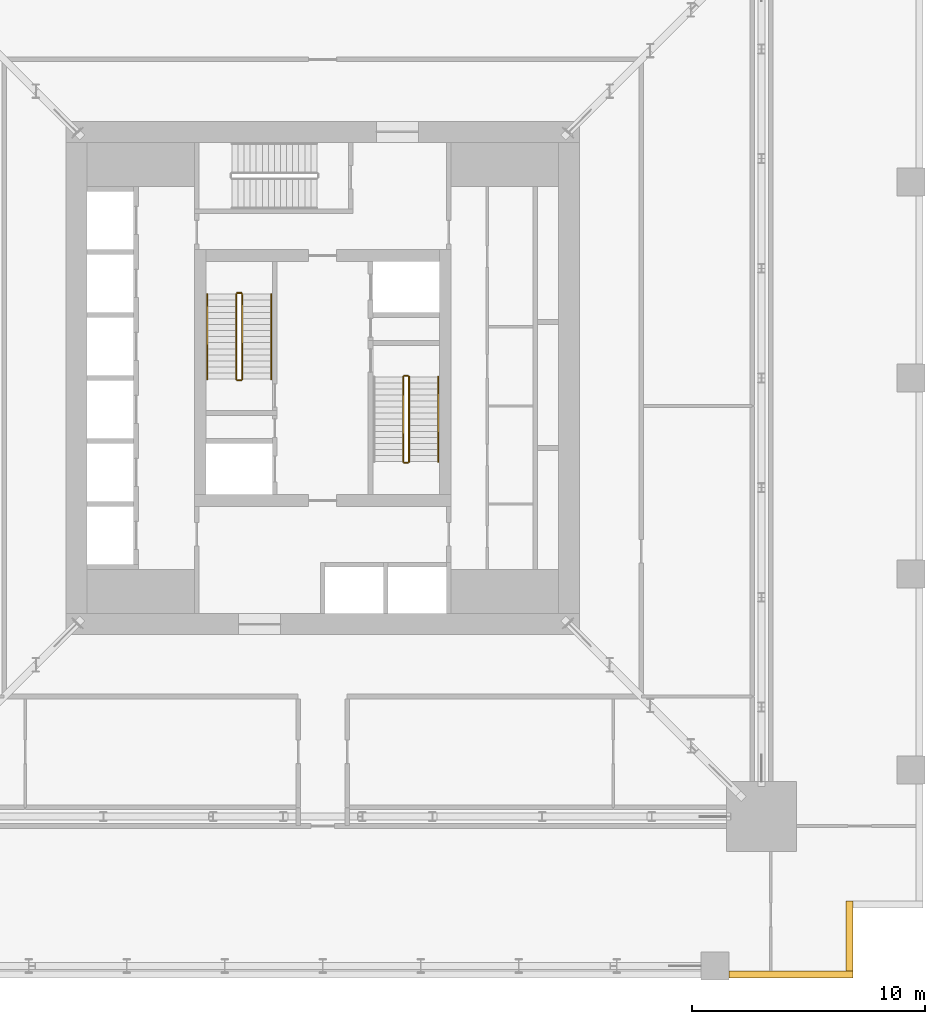
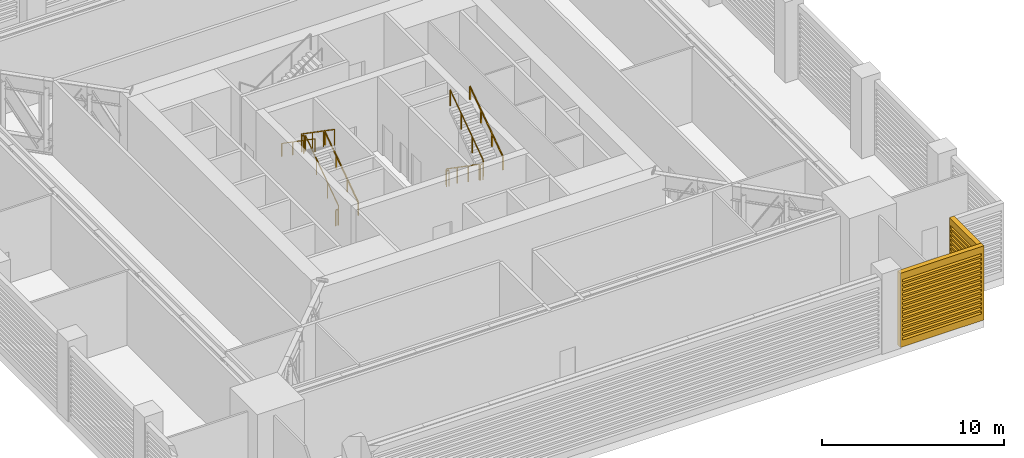
# One storey, part 14 of 17: 11 railings, 2 shading devices.
"""IFC4 building model written with IfcOpenShell, lengths in metres."""

from ifc_helpers import new_model, si_unit, direction, frame, origin, origin_2d, place, context, subcontext, project, spatial, polyline, rectangle, outline, extrude, material, type_object, element, save


model = new_model("IFC4")

# Units and contexts
model_context = context("Model", 3, precision=1e-05, world=origin(), true_north=direction((0.0, 1.0)))
body_context = subcontext(model_context, "Body", "Model", "MODEL_VIEW")
ifc_project = project(units=[si_unit("LENGTHUNIT", "METRE"), si_unit("AREAUNIT", "SQUARE_METRE"), si_unit("VOLUMEUNIT", "CUBIC_METRE"), si_unit("PLANEANGLEUNIT", "RADIAN"), si_unit("MASSUNIT", "GRAM", prefix="KILO")], contexts=[model_context])

# Site, building, storey
site_placement = place(None, origin())
site = spatial("IfcSite", under=ifc_project, at=site_placement, CompositionType="ELEMENT")
building_placement = place(site_placement, origin())
building = spatial("IfcBuilding", under=site, at=building_placement, Name="Khepri Terraces", CompositionType="ELEMENT")
storey_placement = place(building_placement, frame((0.0, 0.0, 73.800048828125)))
storey = spatial("IfcBuildingStorey", under=building, at=storey_placement, Name="L17", CompositionType="ELEMENT", Elevation=73.800048828125)

# Shading devices
ifc_material_1 = material(Name="Anodised aluminium bronze", Category="aluminium")
shading_device_type = type_object("IfcShadingDeviceType", Name="LVR-PLANT-300", PredefinedType="USERDEFINED", material=ifc_material_1)
shading_device_1_placement = place(storey_placement, frame((17.39990234375, -25.419921875, 0.0), z_axis=(0.0, -1.0, 0.0), x_axis=(1.0, 0.0, 0.0)))
element("IfcShadingDevice", 1, at=shading_device_1_placement, inside=storey, type_object=shading_device_type, Name="Louvre wall L17 S", ObjectType="LOUVRE", PredefinedType="USERDEFINED", context=body_context, shape_type="SweptSolid", body=[
    extrude(outline(polyline([(0.0, 0.0), (5.320068359375, 0.0), (5.320068359375, 4.97998046875), (0.0, 4.97998046875), (0.0, 0.0)]), holes=[polyline([(0.14990234375, 0.449951171875), (5.169921875, 0.449951171875), (5.169921875, 0.6201171875), (0.14990234375, 0.6201171875), (0.14990234375, 0.449951171875)]), polyline([(0.14990234375, 0.75), (5.169921875, 0.75), (5.169921875, 0.919921875), (0.14990234375, 0.919921875), (0.14990234375, 0.75)]), polyline([(0.14990234375, 1.050048828125), (5.169921875, 1.050048828125), (5.169921875, 1.219970703125), (0.14990234375, 1.219970703125), (0.14990234375, 1.050048828125)]), polyline([(0.14990234375, 1.35009765625), (5.169921875, 1.35009765625), (5.169921875, 1.52001953125), (0.14990234375, 1.52001953125), (0.14990234375, 1.35009765625)]), polyline([(0.14990234375, 1.64990234375), (5.169921875, 1.64990234375), (5.169921875, 1.820068359375), (0.14990234375, 1.820068359375), (0.14990234375, 1.64990234375)]), polyline([(0.14990234375, 1.949951171875), (5.169921875, 1.949951171875), (5.169921875, 2.1201171875), (0.14990234375, 2.1201171875), (0.14990234375, 1.949951171875)]), polyline([(0.14990234375, 2.25), (5.169921875, 2.25), (5.169921875, 2.419921875), (0.14990234375, 2.419921875), (0.14990234375, 2.25)]), polyline([(0.14990234375, 2.550048828125), (5.169921875, 2.550048828125), (5.169921875, 2.719970703125), (0.14990234375, 2.719970703125), (0.14990234375, 2.550048828125)]), polyline([(0.14990234375, 2.85009765625), (5.169921875, 2.85009765625), (5.169921875, 3.02001953125), (0.14990234375, 3.02001953125), (0.14990234375, 2.85009765625)]), polyline([(0.14990234375, 3.14990234375), (5.169921875, 3.14990234375), (5.169921875, 3.320068359375), (0.14990234375, 3.320068359375), (0.14990234375, 3.14990234375)]), polyline([(0.14990234375, 3.449951171875), (5.169921875, 3.449951171875), (5.169921875, 3.6201171875), (0.14990234375, 3.6201171875), (0.14990234375, 3.449951171875)]), polyline([(0.14990234375, 3.75), (5.169921875, 3.75), (5.169921875, 3.919921875), (0.14990234375, 3.919921875), (0.14990234375, 3.75)]), polyline([(0.14990234375, 4.050048828125), (5.169921875, 4.050048828125), (5.169921875, 4.219970703125), (0.14990234375, 4.219970703125), (0.14990234375, 4.050048828125)]), polyline([(0.14990234375, 4.35009765625), (5.169921875, 4.35009765625), (5.169921875, 4.52001953125), (0.14990234375, 4.52001953125), (0.14990234375, 4.35009765625)])]), origin(), (0.0, 0.0, 1.0), 0.300048828125),
])
shading_device_2_placement = place(storey_placement, frame((22.419921875, -25.419921875, 0.0), z_axis=(1.0, 0.0, 0.0), x_axis=(0.0, 1.0, 0.0)))
element("IfcShadingDevice", 2, at=shading_device_2_placement, inside=storey, type_object=shading_device_type, Name="Louvre wall L17 E", ObjectType="LOUVRE", PredefinedType="USERDEFINED", context=body_context, shape_type="SweptSolid", body=[
    extrude(outline(polyline([(0.0, 0.0), (3.0, 0.0), (3.0, 4.97998046875), (0.0, 4.97998046875), (0.0, 0.0)]), holes=[polyline([(0.14990234375, 0.449951171875), (2.85009765625, 0.449951171875), (2.85009765625, 0.6201171875), (0.14990234375, 0.6201171875), (0.14990234375, 0.449951171875)]), polyline([(0.14990234375, 0.75), (2.85009765625, 0.75), (2.85009765625, 0.919921875), (0.14990234375, 0.919921875), (0.14990234375, 0.75)]), polyline([(0.14990234375, 1.050048828125), (2.85009765625, 1.050048828125), (2.85009765625, 1.219970703125), (0.14990234375, 1.219970703125), (0.14990234375, 1.050048828125)]), polyline([(0.14990234375, 1.35009765625), (2.85009765625, 1.35009765625), (2.85009765625, 1.52001953125), (0.14990234375, 1.52001953125), (0.14990234375, 1.35009765625)]), polyline([(0.14990234375, 1.64990234375), (2.85009765625, 1.64990234375), (2.85009765625, 1.820068359375), (0.14990234375, 1.820068359375), (0.14990234375, 1.64990234375)]), polyline([(0.14990234375, 1.949951171875), (2.85009765625, 1.949951171875), (2.85009765625, 2.1201171875), (0.14990234375, 2.1201171875), (0.14990234375, 1.949951171875)]), polyline([(0.14990234375, 2.25), (2.85009765625, 2.25), (2.85009765625, 2.419921875), (0.14990234375, 2.419921875), (0.14990234375, 2.25)]), polyline([(0.14990234375, 2.550048828125), (2.85009765625, 2.550048828125), (2.85009765625, 2.719970703125), (0.14990234375, 2.719970703125), (0.14990234375, 2.550048828125)]), polyline([(0.14990234375, 2.85009765625), (2.85009765625, 2.85009765625), (2.85009765625, 3.02001953125), (0.14990234375, 3.02001953125), (0.14990234375, 2.85009765625)]), polyline([(0.14990234375, 3.14990234375), (2.85009765625, 3.14990234375), (2.85009765625, 3.320068359375), (0.14990234375, 3.320068359375), (0.14990234375, 3.14990234375)]), polyline([(0.14990234375, 3.449951171875), (2.85009765625, 3.449951171875), (2.85009765625, 3.6201171875), (0.14990234375, 3.6201171875), (0.14990234375, 3.449951171875)]), polyline([(0.14990234375, 3.75), (2.85009765625, 3.75), (2.85009765625, 3.919921875), (0.14990234375, 3.919921875), (0.14990234375, 3.75)]), polyline([(0.14990234375, 4.050048828125), (2.85009765625, 4.050048828125), (2.85009765625, 4.219970703125), (0.14990234375, 4.219970703125), (0.14990234375, 4.050048828125)]), polyline([(0.14990234375, 4.35009765625), (2.85009765625, 4.35009765625), (2.85009765625, 4.52001953125), (0.14990234375, 4.52001953125), (0.14990234375, 4.35009765625)])]), origin(), (0.0, 0.0, 1.0), 0.300048828125),
])

# Railings
ifc_material_2 = material(Name="Stainless steel 316", Category="steel")
railing_type_1 = type_object("IfcRailingType", Name="RL-CORE-GUARD", PredefinedType="GUARDRAIL", material=ifc_material_2)
railing_1_placement = place(storey_placement, frame((-3.449951171875, -0.050048828125, 0.179931640625)))
element("IfcRailing", 3, at=railing_1_placement, inside=storey, type_object=railing_type_1, Name="L17 ST-1 stair guard 1", PredefinedType="GUARDRAIL", context=body_context, shape_type="SweptSolid", body=[
    extrude(rectangle(XDim=0.050048828125, YDim=0.06005859375, at=origin_2d()), frame((0.0, 0.0, 1.070068359375), z_axis=(0.0, 0.82220013233, 0.56919850878), x_axis=(-1.0, 0.0, 0.0)), (0.0, 0.0, 1.0), 4.42724609375),
    extrude(rectangle(XDim=0.050048828125, YDim=0.050048828125, at=origin_2d()), origin(), (0.0, 0.0, 1.0), 1.0400390625),
    extrude(rectangle(XDim=0.050048828125, YDim=0.050048828125, at=origin_2d()), frame((0.0, 1.21337890625, 0.840087890625)), (0.0, 0.0, 1.0), 1.0400390625),
    extrude(rectangle(XDim=0.050048828125, YDim=0.050048828125, at=origin_2d()), frame((0.0, 2.4267578125, 1.679931640625)), (0.0, 0.0, 1.0), 1.0400390625),
    extrude(rectangle(XDim=0.050048828125, YDim=0.050048828125, at=origin_2d()), frame((0.0, 3.64013671875, 2.52001953125)), (0.0, 0.0, 1.0), 1.0400390625),
])
railing_2_placement = place(storey_placement, frame((-3.5, 3.639892578125, 2.699951171875)))
element("IfcRailing", 4, at=railing_2_placement, inside=storey, type_object=railing_type_1, Name="L17 ST-1 stair guard 2", PredefinedType="GUARDRAIL", context=body_context, shape_type="SweptSolid", body=[
    extrude(rectangle(XDim=0.050048828125, YDim=0.06005859375, at=origin_2d()), frame((0.0, 0.0, 1.070068359375), z_axis=(-1.0, 0.0, 0.0), x_axis=(0.0, -1.0, 0.0)), (0.0, 0.0, 1.0), 0.14990234375),
    extrude(rectangle(XDim=0.050048828125, YDim=0.050048828125, at=origin_2d()), origin(), (0.0, 0.0, 1.0), 1.0400390625),
    extrude(rectangle(XDim=0.050048828125, YDim=0.050048828125, at=origin_2d()), frame((-0.14990234375, 0.0, 0.0)), (0.0, 0.0, 1.0), 1.0400390625),
])
railing_3_placement = place(storey_placement, frame((-3.699951171875, 3.590087890625, 2.8798828125)))
element("IfcRailing", 5, at=railing_3_placement, inside=storey, type_object=railing_type_1, Name="L17 ST-1 stair guard 3", PredefinedType="GUARDRAIL", context=body_context, shape_type="SweptSolid", body=[
    extrude(rectangle(XDim=0.050048828125, YDim=0.06005859375, at=origin_2d()), frame((0.0, 0.0, 1.070068359375), z_axis=(0.0, -0.82220013233, 0.56919850878), x_axis=(1.0, 0.0, 0.0)), (0.0, 0.0, 1.0), 4.42724609375),
    extrude(rectangle(XDim=0.050048828125, YDim=0.050048828125, at=origin_2d()), origin(), (0.0, 0.0, 1.0), 1.0400390625),
    extrude(rectangle(XDim=0.050048828125, YDim=0.050048828125, at=origin_2d()), frame((0.0, -1.21337890625, 0.840087890625)), (0.0, 0.0, 1.0), 1.0400390625),
    extrude(rectangle(XDim=0.050048828125, YDim=0.050048828125, at=origin_2d()), frame((0.0, -2.4267578125, 1.679931640625)), (0.0, 0.0, 1.0), 1.0400390625),
    extrude(rectangle(XDim=0.050048828125, YDim=0.050048828125, at=origin_2d()), frame((0.0, -3.64013671875, 2.52001953125)), (0.0, 0.0, 1.0), 1.0400390625),
])
railing_4_placement = place(storey_placement, frame((-3.5, -0.10009765625, 0.0)))
element("IfcRailing", 6, at=railing_4_placement, inside=storey, type_object=railing_type_1, Name="L17 ST-1 stair guard 4", PredefinedType="GUARDRAIL", context=body_context, shape_type="SweptSolid", body=[
    extrude(rectangle(XDim=0.050048828125, YDim=0.06005859375, at=origin_2d()), frame((0.0, 0.0, 1.070068359375), z_axis=(-1.0, 0.0, 0.0), x_axis=(0.0, -1.0, 0.0)), (0.0, 0.0, 1.0), 0.14990234375),
    extrude(rectangle(XDim=0.050048828125, YDim=0.050048828125, at=origin_2d()), origin(), (0.0, 0.0, 1.0), 1.0400390625),
    extrude(rectangle(XDim=0.050048828125, YDim=0.050048828125, at=origin_2d()), frame((-0.14990234375, 0.0, 0.0)), (0.0, 0.0, 1.0), 1.0400390625),
])
railing_5_placement = place(storey_placement, frame((3.449951171875, 0.050048828125, 0.179931640625)))
element("IfcRailing", 7, at=railing_5_placement, inside=storey, type_object=railing_type_1, Name="L17 ST-2 stair guard 1", PredefinedType="GUARDRAIL", context=body_context, shape_type="SweptSolid", body=[
    extrude(rectangle(XDim=0.050048828125, YDim=0.06005859375, at=origin_2d()), frame((0.0, 0.0, 1.070068359375), z_axis=(0.0, -0.82220013233, 0.56919850878), x_axis=(1.0, 0.0, 0.0)), (0.0, 0.0, 1.0), 4.42724609375),
    extrude(rectangle(XDim=0.050048828125, YDim=0.050048828125, at=origin_2d()), origin(), (0.0, 0.0, 1.0), 1.0400390625),
    extrude(rectangle(XDim=0.050048828125, YDim=0.050048828125, at=origin_2d()), frame((0.0, -1.21337890625, 0.840087890625)), (0.0, 0.0, 1.0), 1.0400390625),
    extrude(rectangle(XDim=0.050048828125, YDim=0.050048828125, at=origin_2d()), frame((0.0, -2.4267578125, 1.679931640625)), (0.0, 0.0, 1.0), 1.0400390625),
    extrude(rectangle(XDim=0.050048828125, YDim=0.050048828125, at=origin_2d()), frame((0.0, -3.64013671875, 2.52001953125)), (0.0, 0.0, 1.0), 1.0400390625),
])
railing_6_placement = place(storey_placement, frame((3.5, -3.639892578125, 2.699951171875)))
element("IfcRailing", 8, at=railing_6_placement, inside=storey, type_object=railing_type_1, Name="L17 ST-2 stair guard 2", PredefinedType="GUARDRAIL", context=body_context, shape_type="SweptSolid", body=[
    extrude(rectangle(XDim=0.050048828125, YDim=0.06005859375, at=origin_2d()), frame((0.0, 0.0, 1.070068359375), z_axis=(1.0, 0.0, 0.0), x_axis=(0.0, 1.0, 0.0)), (0.0, 0.0, 1.0), 0.14990234375),
    extrude(rectangle(XDim=0.050048828125, YDim=0.050048828125, at=origin_2d()), origin(), (0.0, 0.0, 1.0), 1.0400390625),
    extrude(rectangle(XDim=0.050048828125, YDim=0.050048828125, at=origin_2d()), frame((0.14990234375, 0.0, 0.0)), (0.0, 0.0, 1.0), 1.0400390625),
])
railing_7_placement = place(storey_placement, frame((3.699951171875, -3.590087890625, 2.8798828125)))
element("IfcRailing", 9, at=railing_7_placement, inside=storey, type_object=railing_type_1, Name="L17 ST-2 stair guard 3", PredefinedType="GUARDRAIL", context=body_context, shape_type="SweptSolid", body=[
    extrude(rectangle(XDim=0.050048828125, YDim=0.06005859375, at=origin_2d()), frame((0.0, 0.0, 1.070068359375), z_axis=(0.0, 0.82220013233, 0.56919850878), x_axis=(-1.0, 0.0, 0.0)), (0.0, 0.0, 1.0), 4.42724609375),
    extrude(rectangle(XDim=0.050048828125, YDim=0.050048828125, at=origin_2d()), origin(), (0.0, 0.0, 1.0), 1.0400390625),
    extrude(rectangle(XDim=0.050048828125, YDim=0.050048828125, at=origin_2d()), frame((0.0, 1.21337890625, 0.840087890625)), (0.0, 0.0, 1.0), 1.0400390625),
    extrude(rectangle(XDim=0.050048828125, YDim=0.050048828125, at=origin_2d()), frame((0.0, 2.4267578125, 1.679931640625)), (0.0, 0.0, 1.0), 1.0400390625),
    extrude(rectangle(XDim=0.050048828125, YDim=0.050048828125, at=origin_2d()), frame((0.0, 3.64013671875, 2.52001953125)), (0.0, 0.0, 1.0), 1.0400390625),
])
railing_8_placement = place(storey_placement, frame((3.5, 0.10009765625, 0.0)))
element("IfcRailing", 10, at=railing_8_placement, inside=storey, type_object=railing_type_1, Name="L17 ST-2 stair guard 4", PredefinedType="GUARDRAIL", context=body_context, shape_type="SweptSolid", body=[
    extrude(rectangle(XDim=0.050048828125, YDim=0.06005859375, at=origin_2d()), frame((0.0, 0.0, 1.070068359375), z_axis=(1.0, 0.0, 0.0), x_axis=(0.0, 1.0, 0.0)), (0.0, 0.0, 1.0), 0.14990234375),
    extrude(rectangle(XDim=0.050048828125, YDim=0.050048828125, at=origin_2d()), origin(), (0.0, 0.0, 1.0), 1.0400390625),
    extrude(rectangle(XDim=0.050048828125, YDim=0.050048828125, at=origin_2d()), frame((0.14990234375, 0.0, 0.0)), (0.0, 0.0, 1.0), 1.0400390625),
])
railing_type_2 = type_object("IfcRailingType", Name="RL-CORE-HANDRAIL", PredefinedType="HANDRAIL", material=ifc_material_2)
railing_9_placement = place(storey_placement, frame((-2.199951171875, -0.050048828125, 0.179931640625)))
element("IfcRailing", 11, at=railing_9_placement, inside=storey, type_object=railing_type_2, Name="L17 ST-1 stair handrail 1", PredefinedType="HANDRAIL", context=body_context, shape_type="SweptSolid", body=[
    extrude(rectangle(XDim=0.050048828125, YDim=0.050048828125, at=origin_2d()), frame((0.0, 0.0, 0.875), z_axis=(0.0, 0.82220013233, 0.56919850878), x_axis=(-1.0, 0.0, 0.0)), (0.0, 0.0, 1.0), 4.42724609375),
    extrude(rectangle(XDim=0.050048828125, YDim=0.050048828125, at=origin_2d()), origin(), (0.0, 0.0, 1.0), 0.849853515625),
    extrude(rectangle(XDim=0.050048828125, YDim=0.050048828125, at=origin_2d()), frame((0.0, 1.21337890625, 0.840087890625)), (0.0, 0.0, 1.0), 0.849853515625),
    extrude(rectangle(XDim=0.050048828125, YDim=0.050048828125, at=origin_2d()), frame((0.0, 2.4267578125, 1.679931640625)), (0.0, 0.0, 1.0), 0.849853515625),
    extrude(rectangle(XDim=0.050048828125, YDim=0.050048828125, at=origin_2d()), frame((0.0, 3.64013671875, 2.52001953125)), (0.0, 0.0, 1.0), 0.849853515625),
])
railing_10_placement = place(storey_placement, frame((-4.949951171875, 3.590087890625, 2.8798828125)))
element("IfcRailing", 12, at=railing_10_placement, inside=storey, type_object=railing_type_2, Name="L17 ST-1 stair handrail 2", PredefinedType="HANDRAIL", context=body_context, shape_type="SweptSolid", body=[
    extrude(rectangle(XDim=0.050048828125, YDim=0.050048828125, at=origin_2d()), frame((0.0, 0.0, 0.875), z_axis=(0.0, -0.82220013233, 0.56919850878), x_axis=(1.0, 0.0, 0.0)), (0.0, 0.0, 1.0), 4.42724609375),
    extrude(rectangle(XDim=0.050048828125, YDim=0.050048828125, at=origin_2d()), origin(), (0.0, 0.0, 1.0), 0.849853515625),
    extrude(rectangle(XDim=0.050048828125, YDim=0.050048828125, at=origin_2d()), frame((0.0, -1.21337890625, 0.840087890625)), (0.0, 0.0, 1.0), 0.849853515625),
    extrude(rectangle(XDim=0.050048828125, YDim=0.050048828125, at=origin_2d()), frame((0.0, -2.4267578125, 1.679931640625)), (0.0, 0.0, 1.0), 0.849853515625),
    extrude(rectangle(XDim=0.050048828125, YDim=0.050048828125, at=origin_2d()), frame((0.0, -3.64013671875, 2.52001953125)), (0.0, 0.0, 1.0), 0.849853515625),
])
railing_11_placement = place(storey_placement, frame((4.949951171875, -3.590087890625, 2.8798828125)))
element("IfcRailing", 13, at=railing_11_placement, inside=storey, type_object=railing_type_2, Name="L17 ST-2 stair handrail 2", PredefinedType="HANDRAIL", context=body_context, shape_type="SweptSolid", body=[
    extrude(rectangle(XDim=0.050048828125, YDim=0.050048828125, at=origin_2d()), frame((0.0, 0.0, 0.875), z_axis=(0.0, 0.82220013233, 0.56919850878), x_axis=(-1.0, 0.0, 0.0)), (0.0, 0.0, 1.0), 4.42724609375),
    extrude(rectangle(XDim=0.050048828125, YDim=0.050048828125, at=origin_2d()), origin(), (0.0, 0.0, 1.0), 0.849853515625),
    extrude(rectangle(XDim=0.050048828125, YDim=0.050048828125, at=origin_2d()), frame((0.0, 1.21337890625, 0.840087890625)), (0.0, 0.0, 1.0), 0.849853515625),
    extrude(rectangle(XDim=0.050048828125, YDim=0.050048828125, at=origin_2d()), frame((0.0, 2.4267578125, 1.679931640625)), (0.0, 0.0, 1.0), 0.849853515625),
    extrude(rectangle(XDim=0.050048828125, YDim=0.050048828125, at=origin_2d()), frame((0.0, 3.64013671875, 2.52001953125)), (0.0, 0.0, 1.0), 0.849853515625),
])

save(model, "model.ifc")
